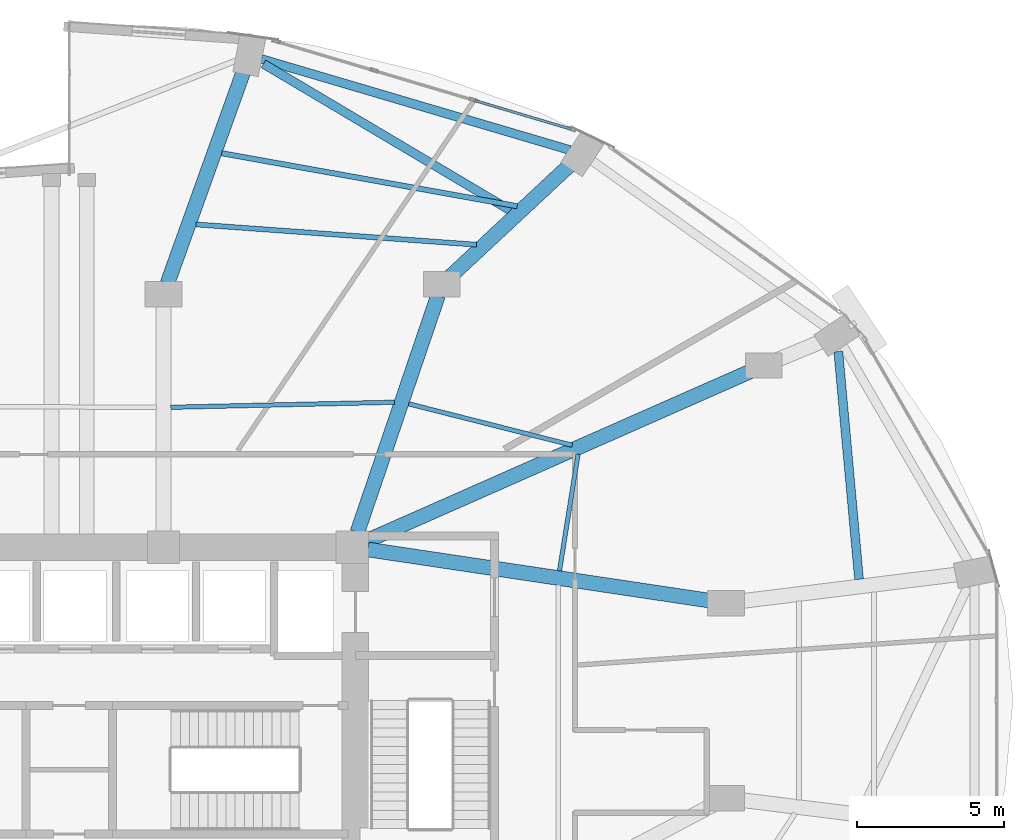
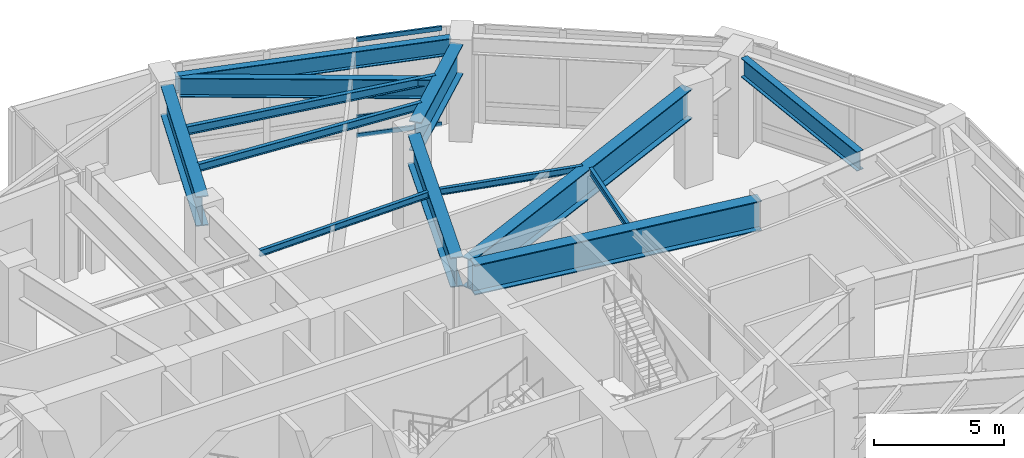
# One storey, part 16 of 24: 13 beams, 3 members, 1 element without a shape of its own.
"""IFC4 building model written with IfcOpenShell, lengths in metres."""

from ifc_helpers import new_model, si_unit, direction, frame, origin, origin_2d, place, context, subcontext, project, spatial, hollow_rectangle, i_section, extrude, material, layer, layer_set, material_profile, profile_set, type_object, element, aggregate, save


model = new_model("IFC4")

# Units and contexts
model_context = context("Model", 3, precision=1e-05, world=origin(), true_north=direction((0.0, 1.0)))
body_context = subcontext(model_context, "Body", "Model", "MODEL_VIEW")
ifc_project = project(units=[si_unit("LENGTHUNIT", "METRE"), si_unit("AREAUNIT", "SQUARE_METRE"), si_unit("VOLUMEUNIT", "CUBIC_METRE"), si_unit("PLANEANGLEUNIT", "RADIAN"), si_unit("MASSUNIT", "GRAM", prefix="KILO")], contexts=[model_context])

# Site, building, storey
site_placement = place(None, origin())
site = spatial("IfcSite", under=ifc_project, at=site_placement, CompositionType="ELEMENT")
building_placement = place(site_placement, origin())
building = spatial("IfcBuilding", under=site, at=building_placement, Name="Lazwardi Medical Tower", CompositionType="ELEMENT")
storey_placement = place(building_placement, frame((0.0, 0.0, 20.39990234375)))
storey = spatial("IfcBuildingStorey", under=building, at=storey_placement, Name="L04", CompositionType="ELEMENT", Elevation=20.39990234375)

# Beams
ifc_material_1 = material(Name="Steel S460", Category="steel")
ifc_material_profile_1 = material_profile(ifc_material_1, i_section(OverallWidth=0.300048828125, OverallDepth=0.89990234375, WebThickness=0.0185546875, FlangeThickness=0.034912109375, at=origin_2d()), Name="HEB 900")
ifc_profile_set_1 = profile_set([ifc_material_profile_1], Name="Steel S460")
beam_type_1 = type_object("IfcBeamType", Name="BM-HB-01", PredefinedType="BEAM", material=ifc_profile_set_1)
beam_1_placement = place(storey_placement, frame((62.77783203125, 34.51171875, 4.130126953125), z_axis=(-0.090581182142, 0.995889074868, 0.0), x_axis=(-0.995889074868, -0.090581182142, 0.0)))
element("IfcBeam", 1, at=beam_1_placement, inside=storey, type_object=beam_type_1, Name="Transfer girder tie HB-01 M05 L04", PredefinedType="BEAM", context=body_context, shape_type="SweptSolid", body=[
    extrude(i_section(OverallWidth=0.300048828125, OverallDepth=0.89990234375, WebThickness=0.0185546875, FlangeThickness=0.034912109375, at=origin_2d()), origin(), (0.0, 0.0, 1.0), 7.751708984375),
])
beam_2_placement = place(storey_placement, frame((50.970458984375, 47.0087890625, 4.130126953125), z_axis=(-0.859870203543, 0.510512715865, 0.0), x_axis=(-0.510512715865, -0.859870203543, 0.0)))
element("IfcBeam", 2, at=beam_2_placement, inside=storey, type_object=beam_type_1, Name="Transfer girder tie HB-01 M07 L04", PredefinedType="BEAM", context=body_context, shape_type="SweptSolid", body=[
    extrude(i_section(OverallWidth=0.300048828125, OverallDepth=0.89990234375, WebThickness=0.0185546875, FlangeThickness=0.034912109375, at=origin_2d()), origin(), (0.0, 0.0, 1.0), 9.74853515625),
])
ifc_material_2 = material(Name="Steel S355", Category="steel")
ifc_material_profile_2 = material_profile(ifc_material_2, i_section(OverallWidth=0.300048828125, OverallDepth=0.800048828125, WebThickness=0.017578125, FlangeThickness=0.032958984375, at=origin_2d()), Name="HEB 800")
ifc_profile_set_2 = profile_set([ifc_material_profile_2], Name="Steel S355")
beam_type_2 = type_object("IfcBeamType", Name="BM-RB-P1", PredefinedType="BEAM", material=ifc_profile_set_2)
beam_3_placement = place(storey_placement, frame((52.976806640625, 49.0634765625, 4.18017578125), z_axis=(-0.959103395471, 0.283055960537, 0.0), x_axis=(-0.283055960537, -0.959103395471, 0.0)))
element("IfcBeam", 3, at=beam_3_placement, inside=storey, type_object=beam_type_2, Name="Ring beam RB-01 B07 L04", PredefinedType="BEAM", context=body_context, shape_type="SweptSolid", body=[
    extrude(i_section(OverallWidth=0.300048828125, OverallDepth=0.800048828125, WebThickness=0.017578125, FlangeThickness=0.032958984375, at=origin_2d()), origin(), (0.0, 0.0, 1.0), 10.904052734375),
])
ifc_material_profile_3 = material_profile(ifc_material_2, i_section(OverallWidth=0.179931640625, OverallDepth=0.39990234375, WebThickness=0.008544921875, FlangeThickness=0.013427734375, at=origin_2d()), Name="IPE 400")
ifc_profile_set_3 = profile_set([ifc_material_profile_3], Name="Steel S355")
beam_type_3 = type_object("IfcBeamType", Name="BM-SJ-01", PredefinedType="JOIST", material=ifc_profile_set_3)
beam_4_placement = place(storey_placement, frame((51.189208984375, 47.159423828125, 4.380126953125), z_axis=(-0.984287141094, 0.176575264057, 0.0), x_axis=(-0.176575264057, -0.984287141094, 0.0)))
element("IfcBeam", 4, at=beam_4_placement, inside=storey, type_object=beam_type_3, Name="Secondary joist SJ-01 RO1 B07 L04", PredefinedType="JOIST", context=body_context, shape_type="SweptSolid", body=[
    extrude(i_section(OverallWidth=0.179931640625, OverallDepth=0.39990234375, WebThickness=0.008544921875, FlangeThickness=0.013427734375, at=origin_2d()), origin(), (0.0, 0.0, 1.0), 10.17626953125),
])
ifc_material_profile_4 = material_profile(ifc_material_2, i_section(OverallWidth=0.169921875, OverallDepth=0.360107421875, WebThickness=0.008056640625, FlangeThickness=0.0126953125, at=origin_2d()), Name="IPE 360")
ifc_profile_set_4 = profile_set([ifc_material_profile_4], Name="Steel S355")
beam_type_4 = type_object("IfcBeamType", Name="BM-SJ-02", PredefinedType="JOIST", material=ifc_profile_set_4)
beam_5_placement = place(storey_placement, frame((49.81298828125, 45.854248046875, 4.400146484375), z_axis=(-0.997392919565, 0.072162067609, 0.0), x_axis=(-0.072162067609, -0.997392919565, 0.0)))
element("IfcBeam", 5, at=beam_5_placement, inside=storey, type_object=beam_type_4, Name="Secondary joist SJ-02 RO2 B07 L04", PredefinedType="JOIST", context=body_context, shape_type="SweptSolid", body=[
    extrude(i_section(OverallWidth=0.169921875, OverallDepth=0.360107421875, WebThickness=0.008056640625, FlangeThickness=0.0126953125, at=origin_2d()), origin(), (0.0, 0.0, 1.0), 9.537353515625),
])
ifc_material_profile_5 = material_profile(ifc_material_2, i_section(OverallWidth=0.14990234375, OverallDepth=0.300048828125, WebThickness=0.007080078125, FlangeThickness=0.0107421875, at=origin_2d()), Name="IPE 300")
ifc_profile_set_5 = profile_set([ifc_material_profile_5], Name="Steel S355")
beam_type_5 = type_object("IfcBeamType", Name="BM-SJ-03", PredefinedType="JOIST", material=ifc_profile_set_5)
beam_6_placement = place(storey_placement, frame((52.62353515625, 34.797119140625, 4.43017578125), z_axis=(0.157073181484, 0.987586966124, 0.0), x_axis=(-0.987586966124, 0.157073181484, 0.0)))
element("IfcBeam", 6, at=beam_6_placement, inside=storey, type_object=beam_type_5, Name="Secondary joist SJ-03 RI1 B05 L04", PredefinedType="JOIST", context=body_context, shape_type="SweptSolid", body=[
    extrude(i_section(OverallWidth=0.14990234375, OverallDepth=0.300048828125, WebThickness=0.007080078125, FlangeThickness=0.0107421875, at=origin_2d()), origin(), (0.0, 0.0, 1.0), 4.007080078125),
])
beam_7_placement = place(storey_placement, frame((53.053955078125, 39.056396484375, 4.43017578125), z_axis=(-0.969384079955, 0.245549395297, 0.0), x_axis=(-0.245549395297, -0.969384079955, 0.0)))
element("IfcBeam", 7, at=beam_7_placement, inside=storey, type_object=beam_type_5, Name="Secondary joist SJ-03 RI1 B06 L04", PredefinedType="JOIST", context=body_context, shape_type="SweptSolid", body=[
    extrude(i_section(OverallWidth=0.14990234375, OverallDepth=0.300048828125, WebThickness=0.007080078125, FlangeThickness=0.0107421875, at=origin_2d()), origin(), (0.0, 0.0, 1.0), 5.716064453125),
])
beam_8_placement = place(storey_placement, frame((47.030517578125, 40.5146484375, 4.43017578125), z_axis=(-0.999742682026, -0.022684129601, 0.0), x_axis=(0.022684129601, -0.999742682026, 0.0)))
element("IfcBeam", 8, at=beam_8_placement, inside=storey, type_object=beam_type_5, Name="Secondary joist SJ-03 RI1 B07 L04", PredefinedType="JOIST", context=body_context, shape_type="SweptSolid", body=[
    extrude(i_section(OverallWidth=0.14990234375, OverallDepth=0.300048828125, WebThickness=0.007080078125, FlangeThickness=0.0107421875, at=origin_2d()), origin(), (0.0, 0.0, 1.0), 7.587646484375),
])
ifc_material_profile_6 = material_profile(ifc_material_1, i_section(OverallWidth=0.5, OverallDepth=1.39990234375, WebThickness=0.028076171875, FlangeThickness=0.044921875, at=origin_2d()), Name="PG 1400x500")
ifc_profile_set_6 = profile_set([ifc_material_profile_6], Name="Steel S460")
beam_type_6 = type_object("IfcBeamType", Name="BM-TG-01", PredefinedType="BEAM", material=ifc_profile_set_6)
beam_9_placement = place(storey_placement, frame((57.867431640625, 33.76513671875, 3.880126953125), z_axis=(-0.988996622553, 0.147938097117, 0.0), x_axis=(-0.147938097117, -0.988996622553, 0.0)))
element("IfcBeam", 9, at=beam_9_placement, inside=storey, type_object=beam_type_6, Name="Transfer girder TG-01 M05B L04", PredefinedType="BEAM", context=body_context, shape_type="SweptSolid", body=[
    extrude(i_section(OverallWidth=0.5, OverallDepth=1.39990234375, WebThickness=0.028076171875, FlangeThickness=0.044921875, at=origin_2d()), origin(), (0.0, 0.0, 1.0), 11.868896484375),
])
beam_10_placement = place(storey_placement, frame((59.18408203125, 41.598388671875, 3.880126953125), z_axis=(-0.914785112543, -0.403940834616, 0.0), x_axis=(0.403940834616, -0.914785112543, 0.0)))
element("IfcBeam", 10, at=beam_10_placement, inside=storey, type_object=beam_type_6, Name="Transfer girder TG-01 M06B L04", PredefinedType="BEAM", context=body_context, shape_type="SweptSolid", body=[
    extrude(i_section(OverallWidth=0.5, OverallDepth=1.39990234375, WebThickness=0.028076171875, FlangeThickness=0.044921875, at=origin_2d()), origin(), (0.0, 0.0, 1.0), 14.314453125),
])
beam_11_placement = place(storey_placement, frame((52.965087890625, 48.54638671875, 3.880126953125), z_axis=(-0.731566851874, -0.681769712761, 0.0), x_axis=(0.681769712761, -0.731566851874, 0.0)))
element("IfcBeam", 11, at=beam_11_placement, inside=storey, type_object=beam_type_6, Name="Transfer girder TG-01 M07A L04", PredefinedType="BEAM", context=body_context, shape_type="SweptSolid", body=[
    extrude(i_section(OverallWidth=0.5, OverallDepth=1.39990234375, WebThickness=0.028076171875, FlangeThickness=0.044921875, at=origin_2d()), origin(), (0.0, 0.0, 1.0), 5.5205078125),
])
beam_12_placement = place(storey_placement, frame((48.505126953125, 44.13134765625, 3.880126953125), z_axis=(-0.322346711858, -0.946621675937, 0.0), x_axis=(0.946621675937, -0.322346711858, 0.0)))
element("IfcBeam", 12, at=beam_12_placement, inside=storey, type_object=beam_type_6, Name="Transfer girder TG-01 M07B L04", PredefinedType="BEAM", context=body_context, shape_type="SweptSolid", body=[
    extrude(i_section(OverallWidth=0.5, OverallDepth=1.39990234375, WebThickness=0.028076171875, FlangeThickness=0.044921875, at=origin_2d()), origin(), (0.0, 0.0, 1.0), 8.477294921875),
])
beam_13_placement = place(storey_placement, frame((41.910400390625, 51.7255859375, 3.880126953125), z_axis=(-0.337851658054, -0.941199371627, 0.0), x_axis=(0.941199371627, -0.337851658054, 0.0)))
element("IfcBeam", 13, at=beam_13_placement, inside=storey, type_object=beam_type_6, Name="Transfer girder TG-01 M08A L04", PredefinedType="BEAM", context=body_context, shape_type="SweptSolid", body=[
    extrude(i_section(OverallWidth=0.5, OverallDepth=1.39990234375, WebThickness=0.028076171875, FlangeThickness=0.044921875, at=origin_2d()), origin(), (0.0, 0.0, 1.0), 7.622314453125),
])

# Curtain wall, members
ifc_material_3 = material(Name="Anodised bronze aluminium and solar control glazing", Category="aluminium")
ifc_layer = layer(ifc_material_3, 0.219970703125)
ifc_layer_set = layer_set([ifc_layer], Name="Anodised bronze aluminium and solar control glazing")
curtain_wall_type = type_object("IfcCurtainWallType", Name="CW-SYS-01", PredefinedType="NOTDEFINED", material=ifc_layer_set)
curtain_wall_placement = place(storey_placement, origin())
curtain_wall = element("IfcCurtainWall", 14, at=curtain_wall_placement, inside=storey, type_object=curtain_wall_type, Name="L04 Unitised bronze curtain wall CW-01", PredefinedType="NOTDEFINED")
ifc_material_4 = material(Name="Anodised bronze aluminium", Category="aluminium")
ifc_material_profile_7 = material_profile(ifc_material_4, hollow_rectangle(XDim=0.0849609375, YDim=0.199951171875, WallThickness=0.00439453125, at=origin_2d()), Name="ALU-TRANSOM 200x85x4.5")
ifc_profile_set_7 = profile_set([ifc_material_profile_7], Name="Anodised bronze aluminium")
member_type = type_object("IfcMemberType", Name="CW-TRN-02", PredefinedType="USERDEFINED", material=ifc_profile_set_7)
member_1_placement = place(storey_placement, frame((52.9931640625, 49.778564453125, 0.04248046875), z_axis=(-0.958525157923, 0.285007932572, 0.0), x_axis=(-0.285007932572, -0.958525157923, 0.0)))
member_1 = element("IfcMember", 15, at=member_1_placement, type_object=member_type, Name="CW-01 transom 1.1", ObjectType="TRANSOM", PredefinedType="USERDEFINED", context=body_context, shape_type="SweptSolid", body=[
    extrude(hollow_rectangle(XDim=0.0849609375, YDim=0.199951171875, WallThickness=0.00439453125, at=origin_2d()), origin(), (0.0, 0.0, 1.0), 3.380126953125),
])
member_2_placement = place(storey_placement, frame((52.9931640625, 49.778564453125, 0.900146484375), z_axis=(-0.958525157923, 0.285007932572, 0.0), x_axis=(-0.285007932572, -0.958525157923, 0.0)))
member_2 = element("IfcMember", 16, at=member_2_placement, type_object=member_type, Name="CW-01 transom 1.2", ObjectType="TRANSOM", PredefinedType="USERDEFINED", context=body_context, shape_type="SweptSolid", body=[
    extrude(hollow_rectangle(XDim=0.0849609375, YDim=0.199951171875, WallThickness=0.00439453125, at=origin_2d()), origin(), (0.0, 0.0, 1.0), 3.380126953125),
])
member_3_placement = place(storey_placement, frame((52.9931640625, 49.778564453125, 4.53759765625), z_axis=(-0.958525157923, 0.285007932572, 0.0), x_axis=(-0.285007932572, -0.958525157923, 0.0)))
member_3 = element("IfcMember", 17, at=member_3_placement, type_object=member_type, Name="CW-01 transom 1.3", ObjectType="TRANSOM", PredefinedType="USERDEFINED", context=body_context, shape_type="SweptSolid", body=[
    extrude(hollow_rectangle(XDim=0.0849609375, YDim=0.199951171875, WallThickness=0.00439453125, at=origin_2d()), origin(), (0.0, 0.0, 1.0), 3.380126953125),
])
aggregate(curtain_wall, [member_1, member_2, member_3])

save(model, "model.ifc")
